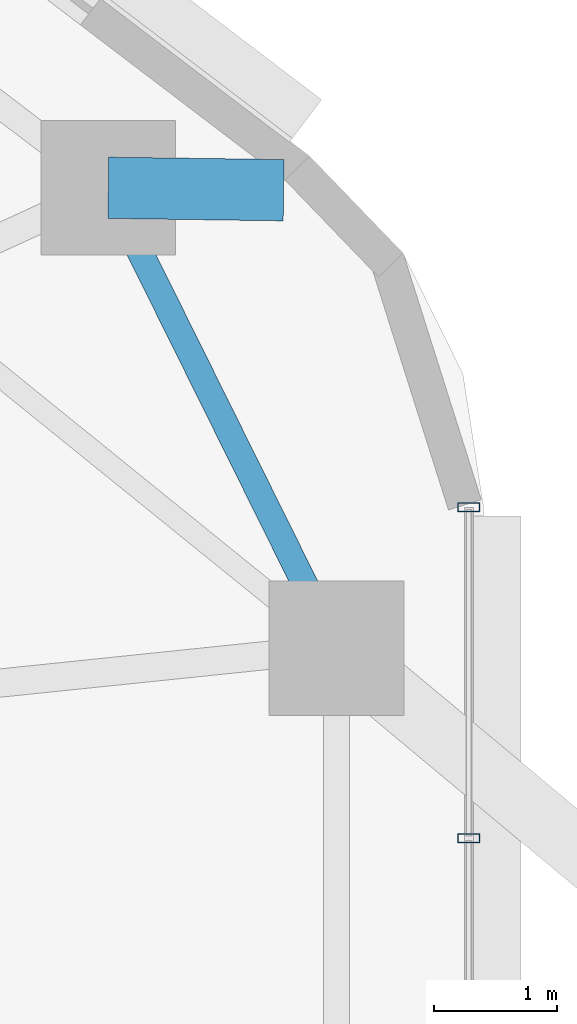
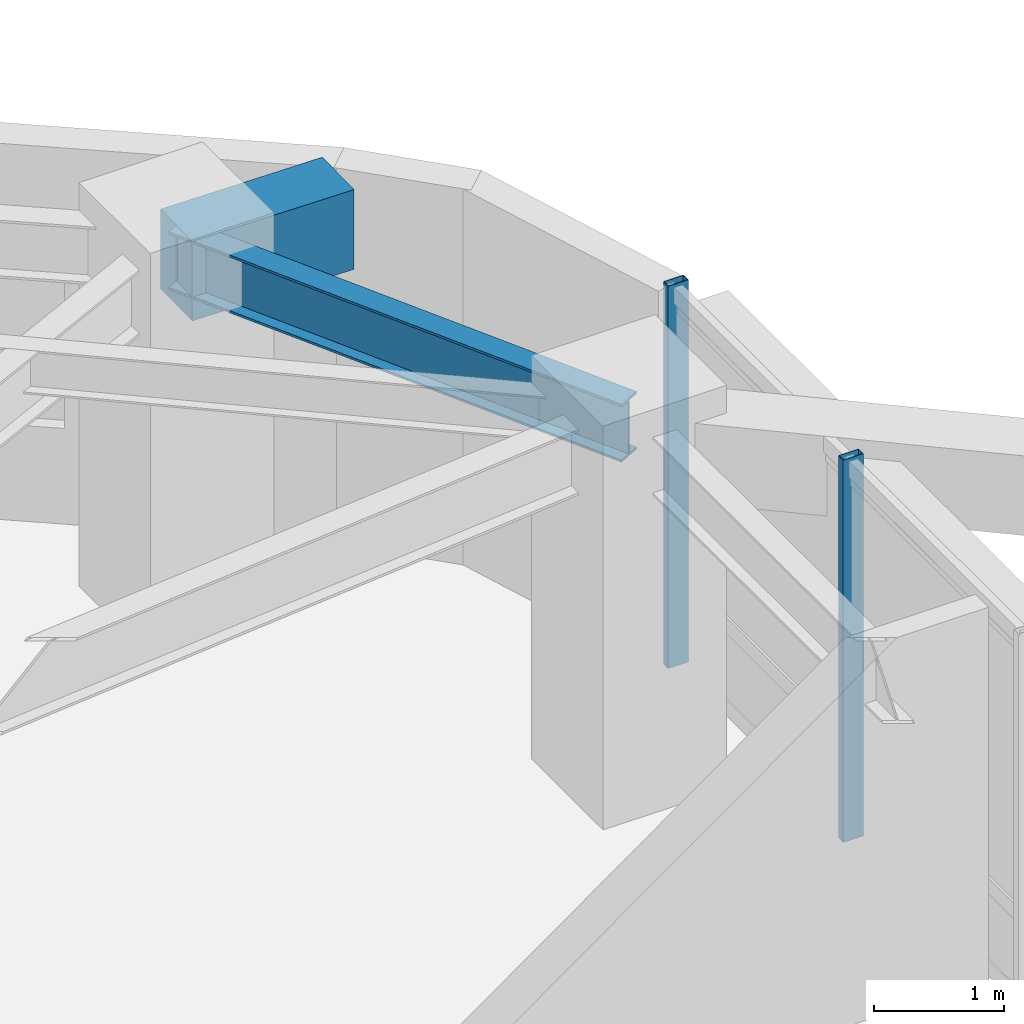
# One storey, part 6 of 13: 2 beams, 2 members, 1 element without a shape of its own.
"""IFC4 building model written with IfcOpenShell, lengths in metres."""

from ifc_helpers import new_model, si_unit, direction, frame, origin, origin_2d, place, context, subcontext, project, spatial, rectangle, hollow_rectangle, i_section, extrude, material, material_profile, profile_set, type_object, element, aggregate, save


model = new_model("IFC4")

# Units and contexts
model_context = context("Model", 3, precision=1e-05, world=origin(), true_north=direction((0.0, 1.0)))
body_context = subcontext(model_context, "Body", "Model", "MODEL_VIEW")
ifc_project = project(units=[si_unit("LENGTHUNIT", "METRE"), si_unit("AREAUNIT", "SQUARE_METRE"), si_unit("VOLUMEUNIT", "CUBIC_METRE"), si_unit("PLANEANGLEUNIT", "RADIAN"), si_unit("MASSUNIT", "GRAM", prefix="KILO")], contexts=[model_context])

# Site, building, storey
site_placement = place(None, origin())
site = spatial("IfcSite", under=ifc_project, at=site_placement, CompositionType="ELEMENT")
building_placement = place(site_placement, origin())
building = spatial("IfcBuilding", under=site, at=building_placement, Name="Zulverin Broadcast Headquarters", CompositionType="ELEMENT")
storey_placement = place(building_placement, frame((0.0, 0.0, 155.39990234375)))
storey = spatial("IfcBuildingStorey", under=building, at=storey_placement, Name="L39", CompositionType="ELEMENT", Elevation=155.39990234375)

# Beams
ifc_material_1 = material(Name="Concrete C40/50", Category="concrete")
ifc_material_profile_1 = material_profile(ifc_material_1, rectangle(XDim=0.5, YDim=0.75, at=origin_2d()), Name="Concrete C40/50", Category="concrete")
ifc_profile_set_1 = profile_set([ifc_material_profile_1], Name="Concrete C40/50")
beam_type_1 = type_object("IfcBeamType", Name="BM-RC-500x750", PredefinedType="BEAM", material=ifc_profile_set_1)
beam_1_placement = place(storey_placement, frame((58.738037109375, 37.877685546875, 3.1650390625), z_axis=(0.99990438472, -0.013828283279, 0.0), x_axis=(0.013828283279, 0.99990438472, 0.0)))
element("IfcBeam", 1, at=beam_1_placement, inside=storey, type_object=beam_type_1, Name="L40 Plate Overhang Back-Spanned Beam OVR-07", PredefinedType="BEAM", context=body_context, shape_type="SweptSolid", body=[
    extrude(rectangle(XDim=0.5, YDim=0.75, at=origin_2d()), origin(), (0.0, 0.0, 1.0), 1.43017578125),
])
ifc_material_2 = material(Name="Structural steel S355JR", Category="steel")
ifc_material_profile_2 = material_profile(ifc_material_2, i_section(OverallWidth=0.2119140625, OverallDepth=0.54443359375, WebThickness=0.0126953125, FlangeThickness=0.021240234375, at=origin_2d()), Name="Structural steel S355JR", Category="steel")
ifc_profile_set_2 = profile_set([ifc_material_profile_2], Name="Structural steel S355JR")
beam_type_2 = type_object("IfcBeamType", Name="BM-UB-533", PredefinedType="SPANDREL", material=ifc_profile_set_2)
beam_2_placement = place(storey_placement, frame((60.60009765625, 34.12158203125, 3.267822265625), z_axis=(-0.444159471033, 0.895947746407, 0.0), x_axis=(-0.895947746407, -0.444159471033, 0.0)))
element("IfcBeam", 2, at=beam_2_placement, inside=storey, type_object=beam_type_2, Name="L39 Perimeter Spandrel Beam SP-06", PredefinedType="SPANDREL", context=body_context, shape_type="SweptSolid", body=[
    extrude(i_section(OverallWidth=0.2119140625, OverallDepth=0.54443359375, WebThickness=0.0126953125, FlangeThickness=0.021240234375, at=origin_2d()), origin(), (0.0, 0.0, 1.0), 4.1923828125),
])

# Curtain wall, members
ifc_material_3 = material(Name="Waist wind-pressure unitised curtain wall", Category="aluminium")
curtain_wall_type = type_object("IfcCurtainWallType", Name="CW-TWR-WST", PredefinedType="USERDEFINED", material=ifc_material_3)
curtain_wall_placement = place(storey_placement, origin())
curtain_wall = element("IfcCurtainWall", 3, at=curtain_wall_placement, inside=storey, type_object=curtain_wall_type, Name="L39 Unitised Curtain Wall CW-L39-E3", ObjectType="UNITISED CURTAIN WALL", PredefinedType="USERDEFINED")
ifc_material_4 = material(Name="Anodized pale-metal aluminium alloy 6063-T6", Category="aluminium")
ifc_material_profile_3 = material_profile(ifc_material_4, hollow_rectangle(XDim=0.074951171875, YDim=0.179931640625, WallThickness=0.0048828125, at=origin_2d()), Name="Anodized pale-metal aluminium alloy 6063-T6", Category="aluminium")
ifc_profile_set_3 = profile_set([ifc_material_profile_3], Name="Anodized pale-metal aluminium alloy 6063-T6")
member_type = type_object("IfcMemberType", Name="CW-MUL-180", PredefinedType="MULLION", material=ifc_profile_set_3)
member_1_placement = place(storey_placement, frame((61.679931640625, 32.5712890625, -0.02978515625), z_axis=(0.0, 0.0, 1.0), x_axis=(0.0, 1.0, 0.0)))
member_1 = element("IfcMember", 4, at=member_1_placement, type_object=member_type, Name="CW-L39-E3 Mullion 06", PredefinedType="MULLION", context=body_context, shape_type="SweptSolid", body=[
    extrude(hollow_rectangle(XDim=0.074951171875, YDim=0.179931640625, WallThickness=0.0048828125, at=origin_2d()), origin(), (0.0, 0.0, 1.0), 3.599853515625),
])
member_2_placement = place(storey_placement, frame((61.679931640625, 35.271484375, -0.02978515625), z_axis=(0.0, 0.0, 1.0), x_axis=(0.0, 1.0, 0.0)))
member_2 = element("IfcMember", 5, at=member_2_placement, type_object=member_type, Name="CW-L39-E3 Mullion 07", PredefinedType="MULLION", context=body_context, shape_type="SweptSolid", body=[
    extrude(hollow_rectangle(XDim=0.074951171875, YDim=0.179931640625, WallThickness=0.0048828125, at=origin_2d()), origin(), (0.0, 0.0, 1.0), 3.599853515625),
])
aggregate(curtain_wall, [member_1, member_2])

save(model, "model.ifc")
